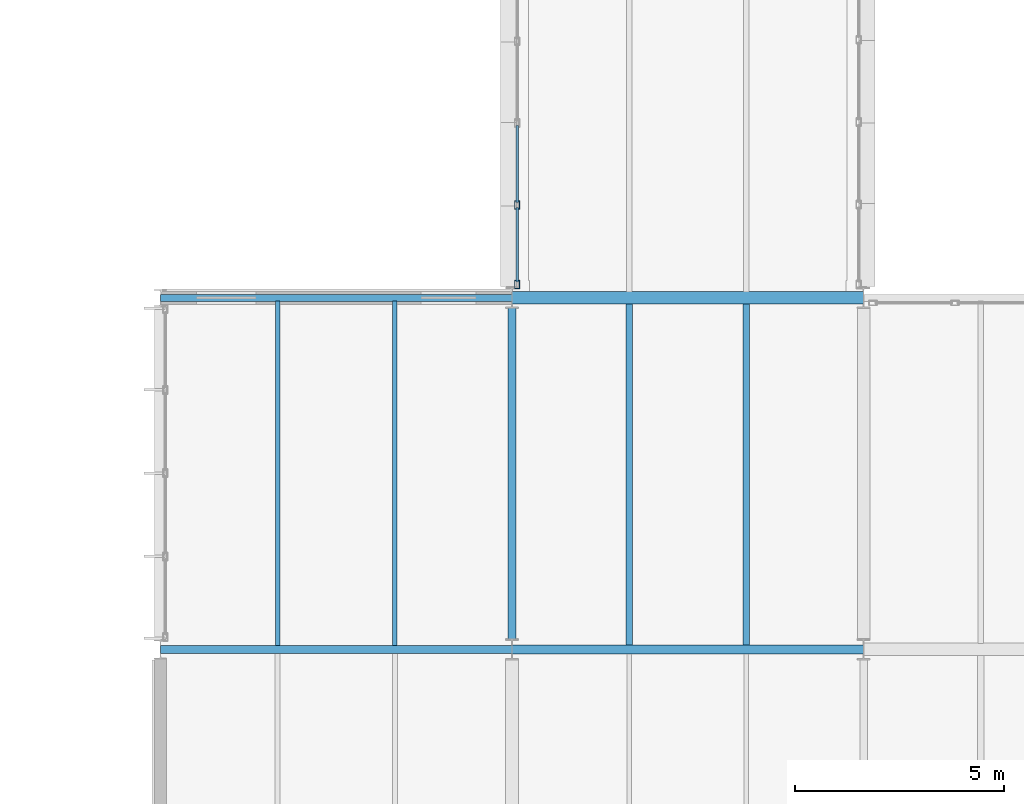
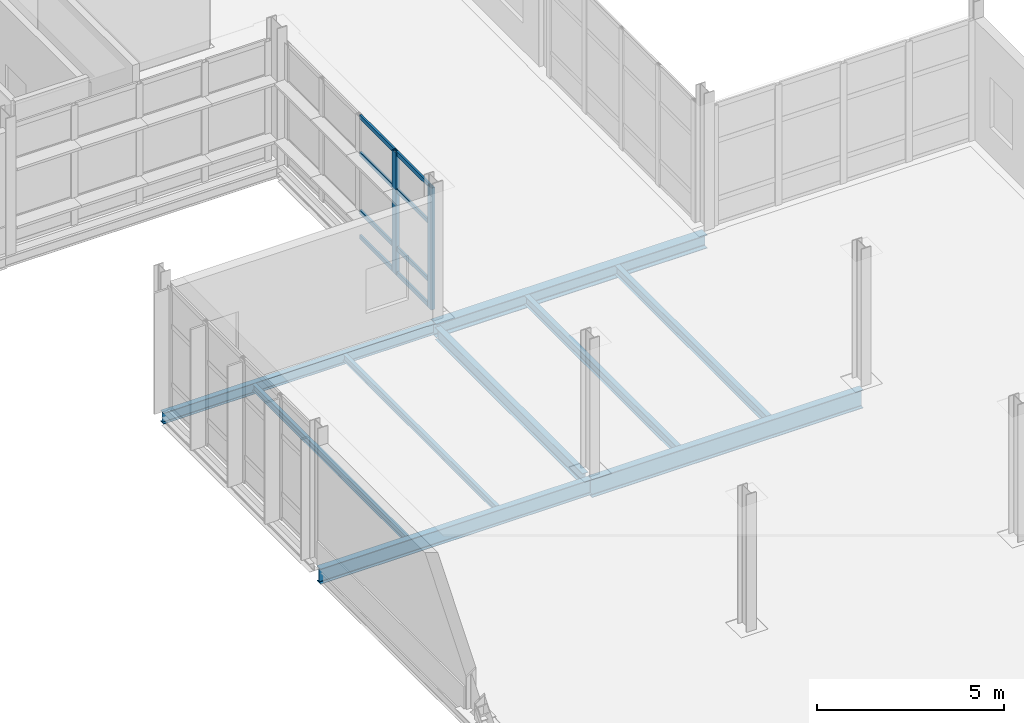
# One storey, part 74 of 129: 10 members, 9 beams, 1 element without a shape of its own.
"""IFC4 building model written with IfcOpenShell, lengths in metres."""

import ifcopenshell
import ifcopenshell.guid

model = None  # the IFC model being written
_history = None  # IfcOwnerHistory: only IFC2X3 demands one
_inside = {}  # id of a spatial element -> (the spatial element, [elements in it])
_under = {}  # id of a project, library or spatial element -> (it, [spatial elements below it])
_declared = {}  # id of a project -> (the project, [libraries it declares])
_typed = {}  # id of a type object -> (the type object, [elements of that type])
_made_of = {}  # id of a material, layer set ... -> (it, [elements and type objects made of it])


def new_model(schema):
    """Start an empty IFC model of exactly this schema.

    Asked for "IFC4X3", IfcOpenShell would pick the latest addendum, in which some entities
    have other attributes; the version numbers below select the first issue.
    IFC2X3 requires an IfcOwnerHistory on every rooted entity: one is made here for all.
    """
    global model, _history
    if schema == "IFC4X3":
        model = ifcopenshell.file(schema_version=(4, 3, 0, 0))
    else:
        model = ifcopenshell.file(schema=schema)
    _inside.clear()
    _under.clear()
    _declared.clear()
    _typed.clear()
    _made_of.clear()
    _history = None
    if model.schema == "IFC2X3":
        org = make("IfcOrganization", Name="unknown")
        user = make(
            "IfcPersonAndOrganization",
            ThePerson=make("IfcPerson", FamilyName="unknown"),
            TheOrganization=org,
        )
        app = make(
            "IfcApplication",
            ApplicationDeveloper=org,
            Version="unknown",
            ApplicationFullName="unknown",
            ApplicationIdentifier="unknown",
        )
        _history = make(
            "IfcOwnerHistory",
            OwningUser=user,
            OwningApplication=app,
            ChangeAction="ADDED",
            CreationDate=0,
        )
    return model


def make(cls, **values):
    """One entity of the class cls with the attributes given. An attribute that is None is left unset."""
    return model.create_entity(
        cls, **{name: value for name, value in values.items() if value is not None}
    )


def rooted(cls, **values):
    """An entity with a GlobalId (a new one), such as an element, a storey or a relation."""
    return make(cls, GlobalId=ifcopenshell.guid.new(), OwnerHistory=_history, **values)


def si_unit(unit_type, name, prefix=None):
    """IfcSIUnit, for example si_unit("LENGTHUNIT", "METRE", prefix="MILLI")."""
    return make("IfcSIUnit", UnitType=unit_type, Prefix=prefix, Name=name)


def assignment(units):
    """IfcUnitAssignment: the units of a project."""
    return None if units is None else make("IfcUnitAssignment", Units=units)


def point(xyz):
    """IfcCartesianPoint."""
    return None if xyz is None else make("IfcCartesianPoint", Coordinates=xyz)


def direction(xyz):
    """IfcDirection."""
    return None if xyz is None else make("IfcDirection", DirectionRatios=xyz)


def frame(location, z_axis=None, x_axis=None):
    """IfcAxis2Placement3D, a coordinate frame: its origin and axes. An axis left out is left unset."""
    return make(
        "IfcAxis2Placement3D",
        Location=point(location),
        Axis=direction(z_axis),
        RefDirection=direction(x_axis),
    )


def frame_2d(location, x_axis=None):
    """IfcAxis2Placement2D, a coordinate frame in the plane: its origin and x axis."""
    return make(
        "IfcAxis2Placement2D", Location=point(location), RefDirection=direction(x_axis)
    )


def origin():
    """The frame at (0, 0, 0) with its axes left unset."""
    return frame((0.0, 0.0, 0.0))


def origin_2d():
    """The frame at (0, 0) in the plane with its x axis left unset."""
    return frame_2d((0.0, 0.0))


def place(relative_to, where):
    """IfcLocalPlacement: puts the frame where relative to a parent placement (None: the world)."""
    return make(
        "IfcLocalPlacement", PlacementRelTo=relative_to, RelativePlacement=where
    )


def context(
    kind, dimensions, precision=None, world=None, true_north=None, identifier=None
):
    """IfcGeometricRepresentationContext, for example the 3D "Model" context."""
    return make(
        "IfcGeometricRepresentationContext",
        ContextIdentifier=identifier,
        ContextType=kind,
        CoordinateSpaceDimension=dimensions,
        Precision=precision,
        WorldCoordinateSystem=world,
        TrueNorth=true_north,
    )


def subcontext(parent, identifier, kind, view, scale=None):
    """IfcGeometricRepresentationSubContext, for example "Body" below "Model"."""
    return make(
        "IfcGeometricRepresentationSubContext",
        ContextIdentifier=identifier,
        ContextType=kind,
        ParentContext=parent,
        TargetScale=scale,
        TargetView=view,
    )


def project(units=None, contexts=None):
    """IfcProject with its units and contexts."""
    return rooted(
        "IfcProject",
        Name="project",
        RepresentationContexts=contexts,
        UnitsInContext=assignment(units),
    )


def spatial(cls, under=None, at=None, **own):
    """A site, building, storey or space (cls), placed at a placement, below another one or the project."""
    s = rooted(cls, ObjectPlacement=at, **own)
    if under is not None:
        _under.setdefault(under.id(), (under, []))[1].append(s)
    return s


def profile(cls, at=None, kind="AREA", **sizes):
    """A parametric profile (cls). Its sizes go by their IFC names, for example OverallWidth=200.0."""
    return make(cls, ProfileType=kind, Position=at, **sizes)


def hollow_rectangle(**sizes):
    """IfcRectangleHollowProfileDef."""
    return profile("IfcRectangleHollowProfileDef", **sizes)


def i_section(**sizes):
    """IfcIShapeProfileDef."""
    return profile("IfcIShapeProfileDef", **sizes)


def extrude(swept, where, along, depth):
    """IfcExtrudedAreaSolid: the profile swept, set in the frame where, extruded along a direction by depth."""
    return make(
        "IfcExtrudedAreaSolid",
        SweptArea=swept,
        Position=where,
        ExtrudedDirection=direction(along),
        Depth=depth,
    )


def shape(context_of_items, identifier, shape_type, items):
    """IfcShapeRepresentation: the items that make up one representation, for example the "Body"."""
    return make(
        "IfcShapeRepresentation",
        ContextOfItems=context_of_items,
        RepresentationIdentifier=identifier,
        RepresentationType=shape_type,
        Items=items,
    )


def material(Name=None, Category=None):
    """IfcMaterial."""
    return make("IfcMaterial", Name=Name, Category=Category)


def material_profile(
    of_material, cross_section, Name=None, Category=None, Priority=None
):
    """IfcMaterialProfile: a cross section and its material."""
    return make(
        "IfcMaterialProfile",
        Name=Name,
        Material=of_material,
        Profile=cross_section,
        Priority=Priority,
        Category=Category,
    )


def profile_set(profiles, Name=None, composite=None):
    """IfcMaterialProfileSet."""
    return make(
        "IfcMaterialProfileSet",
        Name=Name,
        MaterialProfiles=profiles,
        CompositeProfile=composite,
    )


def made_of(thing, what):
    """Note that an element or type object is made of a material, layer set ...; save() writes the relation."""
    if what is not None:
        _made_of.setdefault(what.id(), (what, []))[1].append(thing)
    return thing


def type_object(cls, material=None, **own):
    """A type object (cls), such as IfcWallType, which elements share."""
    return made_of(rooted(cls, **own), material)


def element(
    cls,
    number,
    at=None,
    inside=None,
    cuts=None,
    type_object=None,
    material=None,
    context=None,
    identifier="Body",
    shape_type=None,
    held_by="IfcProductDefinitionShape",
    body=None,
    shapes=None,
    **own,
):
    """One element of the class cls, such as IfcWall. Its Tag is "e" and its number.

    at: its placement. inside: the storey or other place that contains it. cuts: it is an
    opening in that element (IfcRelVoidsElement). A single representation is given by context,
    identifier, shape_type and body (its items); several are given by shapes. held_by: the class
    of the entity that holds the representations. save() writes the other relations.
    """
    e = rooted(cls, Tag="e%d" % number, ObjectPlacement=at, **own)
    if body is not None:
        shapes = [shape(context, identifier, shape_type, body)]
    if shapes is not None:
        e.Representation = make(held_by, Representations=shapes)
    if inside is not None:
        _inside.setdefault(inside.id(), (inside, []))[1].append(e)
    if cuts is not None:
        rooted(
            "IfcRelVoidsElement", RelatingBuildingElement=cuts, RelatedOpeningElement=e
        )
    if type_object is not None:
        _typed.setdefault(type_object.id(), (type_object, []))[1].append(e)
    return made_of(e, material)


def aggregate(whole, parts):
    """IfcRelAggregates: a whole, such as a stair, and the parts it consists of."""
    return rooted("IfcRelAggregates", RelatingObject=whole, RelatedObjects=parts)


def save(model, path):
    """Write the relations noted so far, then the file.

    IfcRelAggregates (storeys below a building ...), IfcRelContainedInSpatialStructure (elements
    in a storey), IfcRelDefinesByType, IfcRelAssociatesMaterial and IfcRelDeclares: one each for
    every whole, place, type object, material and project.
    """
    for whole, parts in _under.values():
        aggregate(whole, parts)
    for where, things in _inside.values():
        rooted(
            "IfcRelContainedInSpatialStructure",
            RelatedElements=things,
            RelatingStructure=where,
        )
    for kind, things in _typed.values():
        rooted("IfcRelDefinesByType", RelatedObjects=things, RelatingType=kind)
    for what, things in _made_of.values():
        rooted("IfcRelAssociatesMaterial", RelatedObjects=things, RelatingMaterial=what)
    for by, libraries in _declared.values():
        rooted("IfcRelDeclares", RelatingContext=by, RelatedDefinitions=libraries)
    model.write(path)


model = new_model("IFC4")

# Units and contexts
model_context = context("Model", 3, precision=1e-05, world=origin(), true_north=direction((0.0, 1.0)))
body_context = subcontext(model_context, "Body", "Model", "MODEL_VIEW")
ifc_project = project(units=[si_unit("LENGTHUNIT", "METRE"), si_unit("AREAUNIT", "SQUARE_METRE"), si_unit("VOLUMEUNIT", "CUBIC_METRE"), si_unit("PLANEANGLEUNIT", "RADIAN"), si_unit("MASSUNIT", "GRAM", prefix="KILO")], contexts=[model_context])

# Site, building, storey
site_placement = place(None, origin())
site = spatial("IfcSite", under=ifc_project, at=site_placement, CompositionType="ELEMENT")
building_placement = place(site_placement, origin())
building = spatial("IfcBuilding", under=site, at=building_placement, Name="Mersafa Astral City Hall", CompositionType="ELEMENT")
storey_placement = place(building_placement, frame((0.0, 0.0, 5.39990234375)))
storey = spatial("IfcBuildingStorey", under=building, at=storey_placement, Name="L01", CompositionType="ELEMENT", Elevation=5.39990234375)

# Curtain wall, members
ifc_material_1 = material(Name="Anodised bronze aluminium framing", Category="aluminium")
curtain_wall_type = type_object("IfcCurtainWallType", Name="ENV-CW-6", PredefinedType="USERDEFINED", material=ifc_material_1)
curtain_wall_placement = place(storey_placement, origin())
curtain_wall = element("IfcCurtainWall", 1, at=curtain_wall_placement, inside=storey, type_object=curtain_wall_type, Name="L01 Unitised solar curtain wall 65", ObjectType="UNITISED CURTAIN WALL", PredefinedType="USERDEFINED")
ifc_material_profile_1 = material_profile(ifc_material_1, hollow_rectangle(XDim=0.1201171875, YDim=0.199951171875, WallThickness=0.008056640625, at=origin_2d()), Name="RHS 120x200x8")
ifc_profile_set_1 = profile_set([ifc_material_profile_1], Name="Anodised bronze aluminium framing")
member_type_1 = type_object("IfcMemberType", Name="ENV-CW-MUL-2", PredefinedType="MULLION", material=ifc_profile_set_1)
member_1_placement = place(storey_placement, frame((168.1201171875, 94.618408203125, -0.001953125), z_axis=(0.0, 0.0, 1.0), x_axis=(1.0, 0.0, 0.0)))
member_1 = element("IfcMember", 2, at=member_1_placement, type_object=member_type_1, Name="CW-6 mullion 4", PredefinedType="MULLION", context=body_context, shape_type="SweptSolid", body=[
    extrude(hollow_rectangle(XDim=0.1201171875, YDim=0.199951171875, WallThickness=0.008056640625, at=origin_2d()), origin(), (0.0, 0.0, 1.0), 3.989013671875),
])
member_2_placement = place(storey_placement, frame((168.1201171875, 92.721923828125, -0.001953125), z_axis=(0.0, 0.0, 1.0), x_axis=(1.0, 0.0, 0.0)))
member_2 = element("IfcMember", 3, at=member_2_placement, type_object=member_type_1, Name="CW-6 mullion 5", PredefinedType="MULLION", context=body_context, shape_type="SweptSolid", body=[
    extrude(hollow_rectangle(XDim=0.1201171875, YDim=0.199951171875, WallThickness=0.008056640625, at=origin_2d()), origin(), (0.0, 0.0, 1.0), 3.989013671875),
])
ifc_material_profile_2 = material_profile(ifc_material_1, hollow_rectangle(XDim=0.06005859375, YDim=0.139892578125, WallThickness=0.00390625, at=origin_2d()), Name="RHS 60x140x4")
ifc_profile_set_2 = profile_set([ifc_material_profile_2], Name="Anodised bronze aluminium framing")
member_type_2 = type_object("IfcMemberType", Name="ENV-CW-TRN-1", PredefinedType="USERDEFINED", material=ifc_profile_set_2)
member_3_placement = place(storey_placement, frame((168.1201171875, 96.514892578125, 0.028076171875), z_axis=(0.0, -1.0, 0.0), x_axis=(1.0, 0.0, 0.0)))
member_3 = element("IfcMember", 4, at=member_3_placement, type_object=member_type_2, Name="CW-6 transom 3.1", ObjectType="TRANSOM", PredefinedType="USERDEFINED", context=body_context, shape_type="SweptSolid", body=[
    extrude(hollow_rectangle(XDim=0.06005859375, YDim=0.139892578125, WallThickness=0.00390625, at=origin_2d()), origin(), (0.0, 0.0, 1.0), 1.83642578125),
])
member_4_placement = place(storey_placement, frame((168.1201171875, 96.514892578125, 0.85009765625), z_axis=(0.0, -1.0, 0.0), x_axis=(1.0, 0.0, 0.0)))
member_4 = element("IfcMember", 5, at=member_4_placement, type_object=member_type_2, Name="CW-6 transom 3.2", ObjectType="TRANSOM", PredefinedType="USERDEFINED", context=body_context, shape_type="SweptSolid", body=[
    extrude(hollow_rectangle(XDim=0.06005859375, YDim=0.139892578125, WallThickness=0.00390625, at=origin_2d()), origin(), (0.0, 0.0, 1.0), 1.83642578125),
])
member_5_placement = place(storey_placement, frame((168.1201171875, 96.514892578125, 2.75), z_axis=(0.0, -1.0, 0.0), x_axis=(1.0, 0.0, 0.0)))
member_5 = element("IfcMember", 6, at=member_5_placement, type_object=member_type_2, Name="CW-6 transom 3.3", ObjectType="TRANSOM", PredefinedType="USERDEFINED", context=body_context, shape_type="SweptSolid", body=[
    extrude(hollow_rectangle(XDim=0.06005859375, YDim=0.139892578125, WallThickness=0.00390625, at=origin_2d()), origin(), (0.0, 0.0, 1.0), 1.83642578125),
])
member_6_placement = place(storey_placement, frame((168.1201171875, 96.514892578125, 3.95703125), z_axis=(0.0, -1.0, 0.0), x_axis=(1.0, 0.0, 0.0)))
member_6 = element("IfcMember", 7, at=member_6_placement, type_object=member_type_2, Name="CW-6 transom 3.4", ObjectType="TRANSOM", PredefinedType="USERDEFINED", context=body_context, shape_type="SweptSolid", body=[
    extrude(hollow_rectangle(XDim=0.06005859375, YDim=0.139892578125, WallThickness=0.00390625, at=origin_2d()), origin(), (0.0, 0.0, 1.0), 1.83642578125),
])
member_7_placement = place(storey_placement, frame((168.1201171875, 94.55859375, 0.028076171875), z_axis=(0.0, -1.0, 0.0), x_axis=(1.0, 0.0, 0.0)))
member_7 = element("IfcMember", 8, at=member_7_placement, type_object=member_type_2, Name="CW-6 transom 4.1", ObjectType="TRANSOM", PredefinedType="USERDEFINED", context=body_context, shape_type="SweptSolid", body=[
    extrude(hollow_rectangle(XDim=0.06005859375, YDim=0.139892578125, WallThickness=0.00390625, at=origin_2d()), origin(), (0.0, 0.0, 1.0), 1.776611328125),
])
member_8_placement = place(storey_placement, frame((168.1201171875, 94.55859375, 0.85009765625), z_axis=(0.0, -1.0, 0.0), x_axis=(1.0, 0.0, 0.0)))
member_8 = element("IfcMember", 9, at=member_8_placement, type_object=member_type_2, Name="CW-6 transom 4.2", ObjectType="TRANSOM", PredefinedType="USERDEFINED", context=body_context, shape_type="SweptSolid", body=[
    extrude(hollow_rectangle(XDim=0.06005859375, YDim=0.139892578125, WallThickness=0.00390625, at=origin_2d()), origin(), (0.0, 0.0, 1.0), 1.776611328125),
])
member_9_placement = place(storey_placement, frame((168.1201171875, 94.55859375, 2.75), z_axis=(0.0, -1.0, 0.0), x_axis=(1.0, 0.0, 0.0)))
member_9 = element("IfcMember", 10, at=member_9_placement, type_object=member_type_2, Name="CW-6 transom 4.3", ObjectType="TRANSOM", PredefinedType="USERDEFINED", context=body_context, shape_type="SweptSolid", body=[
    extrude(hollow_rectangle(XDim=0.06005859375, YDim=0.139892578125, WallThickness=0.00390625, at=origin_2d()), origin(), (0.0, 0.0, 1.0), 1.776611328125),
])
member_10_placement = place(storey_placement, frame((168.1201171875, 94.55859375, 3.95703125), z_axis=(0.0, -1.0, 0.0), x_axis=(1.0, 0.0, 0.0)))
member_10 = element("IfcMember", 11, at=member_10_placement, type_object=member_type_2, Name="CW-6 transom 4.4", ObjectType="TRANSOM", PredefinedType="USERDEFINED", context=body_context, shape_type="SweptSolid", body=[
    extrude(hollow_rectangle(XDim=0.06005859375, YDim=0.139892578125, WallThickness=0.00390625, at=origin_2d()), origin(), (0.0, 0.0, 1.0), 1.776611328125),
])
aggregate(curtain_wall, [member_1, member_2, member_3, member_4, member_5, member_6, member_7, member_8, member_9, member_10])

# Beams
ifc_material_2 = material(Name="Steel S355", Category="steel")
ifc_material_profile_3 = material_profile(ifc_material_2, i_section(OverallWidth=0.300048828125, OverallDepth=0.43994140625, WebThickness=0.011474609375, FlangeThickness=0.02099609375, FilletRadius=0.027099609375, at=origin_2d()), Name="HEA 450")
ifc_profile_set_3 = profile_set([ifc_material_profile_3], Name="Steel S355")
beam_type_1 = type_object("IfcBeamType", Name="STR-BM-HEA450", PredefinedType="BEAM", material=ifc_profile_set_3)
beam_1_placement = place(storey_placement, frame((168.0029296875, 92.39990234375, -0.44482421875), z_axis=(1.0, 0.0, 0.0), x_axis=(0.0, 1.0, 0.0)))
element("IfcBeam", 12, at=beam_1_placement, inside=storey, type_object=beam_type_1, Name="L01 Primary girder X 20-11", PredefinedType="BEAM", context=body_context, shape_type="SweptSolid", body=[
    extrude(i_section(OverallWidth=0.300048828125, OverallDepth=0.43994140625, WebThickness=0.011474609375, FlangeThickness=0.02099609375, FilletRadius=0.027099609375, at=origin_2d()), origin(), (0.0, 0.0, 1.0), 8.39404296875),
])
ifc_material_profile_4 = material_profile(ifc_material_2, i_section(OverallWidth=0.179931640625, OverallDepth=0.39990234375, WebThickness=0.008544921875, FlangeThickness=0.013427734375, FilletRadius=0.02099609375, at=origin_2d()), Name="IPE 400")
ifc_profile_set_4 = profile_set([ifc_material_profile_4], Name="Steel S355")
beam_type_2 = type_object("IfcBeamType", Name="STR-BM-IPE400", PredefinedType="BEAM", material=ifc_profile_set_4)
beam_2_placement = place(storey_placement, frame((168.0, 84.2451171875, -0.4248046875), z_axis=(0.0, 1.0, 0.0), x_axis=(-1.0, 0.0, 0.0)))
element("IfcBeam", 13, at=beam_2_placement, inside=storey, type_object=beam_type_2, Name="L01 Primary girder Y 20-10", PredefinedType="BEAM", context=body_context, shape_type="SweptSolid", body=[
    extrude(i_section(OverallWidth=0.179931640625, OverallDepth=0.39990234375, WebThickness=0.008544921875, FlangeThickness=0.013427734375, FilletRadius=0.02099609375, at=origin_2d()), origin(), (0.0, 0.0, 1.0), 7.909912109375),
])
ifc_material_profile_5 = material_profile(ifc_material_2, i_section(OverallWidth=0.199951171875, OverallDepth=0.5, WebThickness=0.01025390625, FlangeThickness=0.01611328125, FilletRadius=0.02099609375, at=origin_2d()), Name="IPE 500")
ifc_profile_set_5 = profile_set([ifc_material_profile_5], Name="Steel S355")
beam_type_3 = type_object("IfcBeamType", Name="STR-BM-IPE500", PredefinedType="BEAM", material=ifc_profile_set_5)
beam_3_placement = place(storey_placement, frame((159.60302734375, 84.0, -0.474853515625), z_axis=(1.0, 0.0, 0.0), x_axis=(0.0, 1.0, 0.0)))
element("IfcBeam", 14, at=beam_3_placement, inside=storey, type_object=beam_type_3, Name="L01 Primary girder X 19-10", PredefinedType="BEAM", context=body_context, shape_type="SweptSolid", body=[
    extrude(i_section(OverallWidth=0.199951171875, OverallDepth=0.5, WebThickness=0.01025390625, FlangeThickness=0.01611328125, FilletRadius=0.02099609375, at=origin_2d()), origin(), (0.0, 0.0, 1.0), 8.39404296875),
])
ifc_material_profile_6 = material_profile(ifc_material_2, i_section(OverallWidth=0.219970703125, OverallDepth=0.60009765625, WebThickness=0.011962890625, FlangeThickness=0.01904296875, FilletRadius=0.02392578125, at=origin_2d()), Name="IPE 600")
ifc_profile_set_6 = profile_set([ifc_material_profile_6], Name="Steel S355")
beam_type_4 = type_object("IfcBeamType", Name="STR-BM-IPE600", PredefinedType="BEAM", material=ifc_profile_set_6)
beam_4_placement = place(storey_placement, frame((168.0029296875, 84.0, -0.52490234375), z_axis=(1.0, 0.0, 0.0), x_axis=(0.0, 1.0, 0.0)))
element("IfcBeam", 15, at=beam_4_placement, inside=storey, type_object=beam_type_4, Name="L01 Primary girder X 20-10", PredefinedType="BEAM", context=body_context, shape_type="SweptSolid", body=[
    extrude(i_section(OverallWidth=0.219970703125, OverallDepth=0.60009765625, WebThickness=0.011962890625, FlangeThickness=0.01904296875, FilletRadius=0.02392578125, at=origin_2d()), origin(), (0.0, 0.0, 1.0), 8.39404296875),
])
ifc_material_profile_7 = material_profile(ifc_material_2, i_section(OverallWidth=0.110107421875, OverallDepth=0.219970703125, WebThickness=0.005859375, FlangeThickness=0.00927734375, FilletRadius=0.011962890625, at=origin_2d()), Name="IPE 220")
ifc_profile_set_7 = profile_set([ifc_material_profile_7], Name="Steel S355")
beam_type_5 = type_object("IfcBeamType", Name="STR-BM-JOIST-IPE220", PredefinedType="JOIST", material=ifc_profile_set_7)
for number, where, z_axis, x_axis, name in (
    (16, (162.39990234375, 84.094970703125, -0.3349609375), (0.0, 1.0, 0.0), (-1.0, 0.0, 0.0), "L01 Composite secondary floor joist 368"),
    (17, (165.199951171875, 84.094970703125, -0.3349609375), (0.0, 1.0, 0.0), (-1.0, 0.0, 0.0), "L01 Composite secondary floor joist 369"),
):
    element("IfcBeam", number, at=place(storey_placement, frame(where, z_axis=z_axis, x_axis=x_axis)), inside=storey, type_object=beam_type_5, Name=name, PredefinedType="JOIST", context=body_context, shape_type="SweptSolid", body=[
        extrude(i_section(OverallWidth=0.110107421875, OverallDepth=0.219970703125, WebThickness=0.005859375, FlangeThickness=0.00927734375, FilletRadius=0.011962890625, at=origin_2d()), origin(), (0.0, 0.0, 1.0), 8.22509765625),
    ])
ifc_material_profile_8 = material_profile(ifc_material_2, i_section(OverallWidth=0.14990234375, OverallDepth=0.300048828125, WebThickness=0.007080078125, FlangeThickness=0.0107421875, FilletRadius=0.014892578125, at=origin_2d()), Name="IPE 300")
ifc_profile_set_8 = profile_set([ifc_material_profile_8], Name="Steel S355")
beam_type_6 = type_object("IfcBeamType", Name="STR-BM-JOIST-IPE300", PredefinedType="JOIST", material=ifc_profile_set_8)
for number, where, z_axis, x_axis, name in (
    (18, (170.800048828125, 84.10498046875, -0.375), (0.0, 1.0, 0.0), (-1.0, 0.0, 0.0), "L01 Composite secondary floor joist 383"),
    (19, (173.60009765625, 84.10498046875, -0.375), (0.0, 1.0, 0.0), (-1.0, 0.0, 0.0), "L01 Composite secondary floor joist 384"),
):
    element("IfcBeam", number, at=place(storey_placement, frame(where, z_axis=z_axis, x_axis=x_axis)), inside=storey, type_object=beam_type_6, Name=name, PredefinedType="JOIST", context=body_context, shape_type="SweptSolid", body=[
        extrude(i_section(OverallWidth=0.14990234375, OverallDepth=0.300048828125, WebThickness=0.007080078125, FlangeThickness=0.0107421875, FilletRadius=0.014892578125, at=origin_2d()), origin(), (0.0, 0.0, 1.0), 8.14990234375),
    ])
ifc_material_profile_9 = material_profile(ifc_material_2, i_section(OverallWidth=0.169921875, OverallDepth=0.360107421875, WebThickness=0.008056640625, FlangeThickness=0.0126953125, FilletRadius=0.01806640625, at=origin_2d()), Name="IPE 360")
ifc_profile_set_9 = profile_set([ifc_material_profile_9], Name="Steel S355")
beam_type_7 = type_object("IfcBeamType", Name="STR-BM-SPANDREL-IPE360", PredefinedType="SPANDREL", material=ifc_profile_set_9)
beam_5_placement = place(storey_placement, frame((159.60302734375, 92.39990234375, -0.40478515625), z_axis=(1.0, 0.0, 0.0), x_axis=(0.0, 1.0, 0.0)))
element("IfcBeam", 20, at=beam_5_placement, inside=storey, type_object=beam_type_7, Name="L01 Primary girder X 19-11", PredefinedType="SPANDREL", context=body_context, shape_type="SweptSolid", body=[
    extrude(i_section(OverallWidth=0.169921875, OverallDepth=0.360107421875, WebThickness=0.008056640625, FlangeThickness=0.0126953125, FilletRadius=0.01806640625, at=origin_2d()), origin(), (0.0, 0.0, 1.0), 8.39404296875),
])

save(model, "model.ifc")
